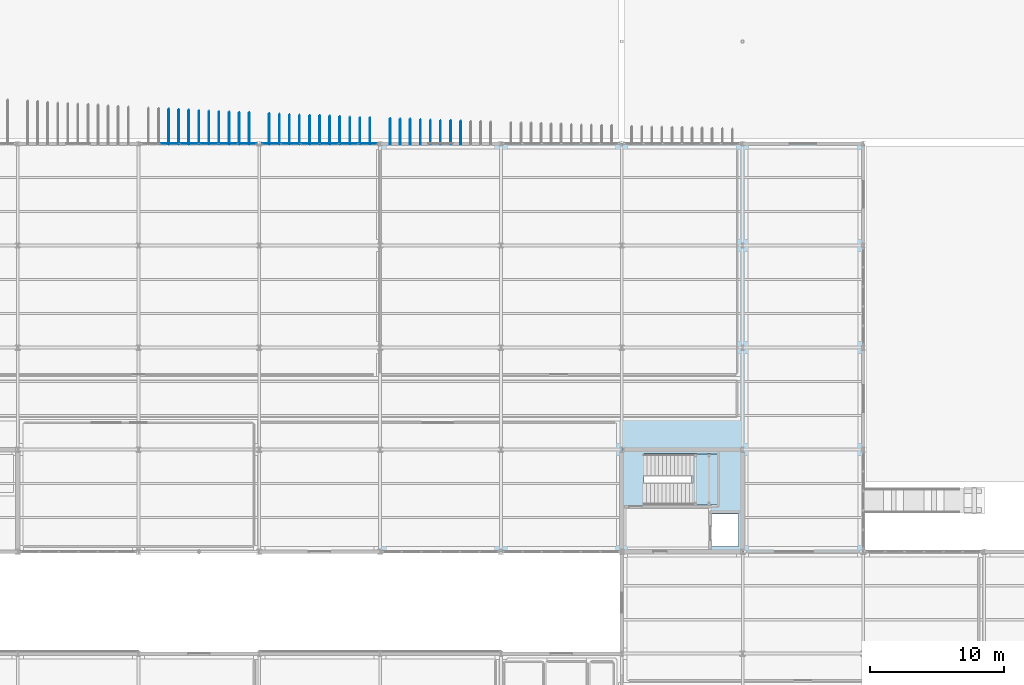
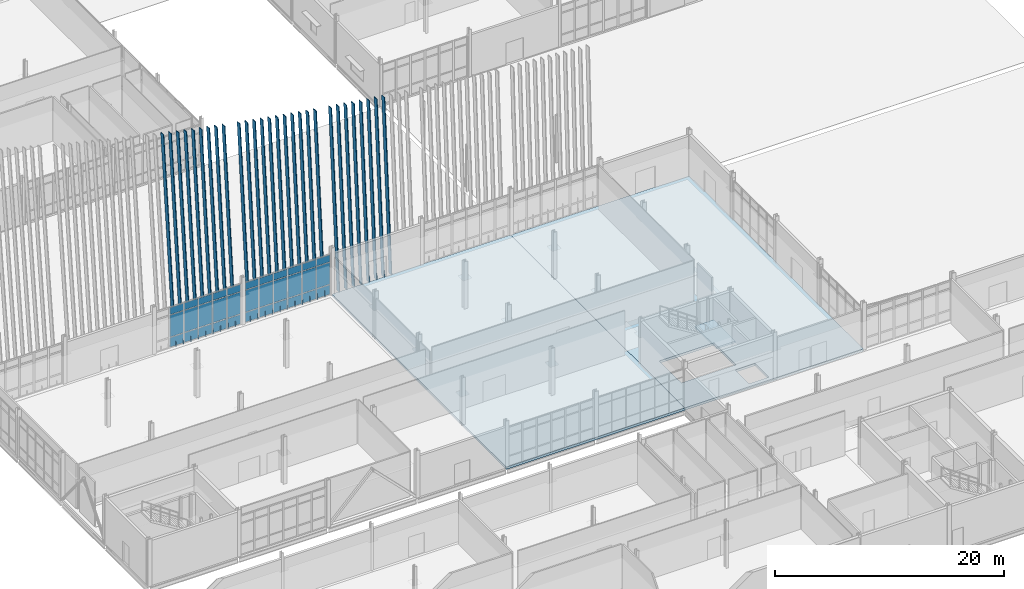
# One storey, part 123 of 161: 61 plates, 3 slabs, 3 elements without a shape of their own.
"""IFC4 building model written with IfcOpenShell, lengths in metres."""

from ifc_helpers import new_model, si_unit, direction, frame, origin, origin_2d, place, context, subcontext, project, spatial, polyline, rectangle, outline, extrude, material, layer, layer_set, type_object, element, aggregate, save


model = new_model("IFC4")

# Units and contexts
model_context = context("Model", 3, precision=1e-05, world=origin(), true_north=direction((0.0, 1.0)))
body_context = subcontext(model_context, "Body", "Model", "MODEL_VIEW")
ifc_project = project(units=[si_unit("LENGTHUNIT", "METRE"), si_unit("AREAUNIT", "SQUARE_METRE"), si_unit("VOLUMEUNIT", "CUBIC_METRE"), si_unit("PLANEANGLEUNIT", "RADIAN"), si_unit("MASSUNIT", "GRAM", prefix="KILO")], contexts=[model_context])

# Site, building, storey
site_placement = place(None, origin())
site = spatial("IfcSite", under=ifc_project, at=site_placement, CompositionType="ELEMENT")
building_placement = place(site_placement, origin())
building = spatial("IfcBuilding", under=site, at=building_placement, Name="Caisbarro Railhouse Central Library", CompositionType="ELEMENT")
storey_placement = place(building_placement, origin())
storey = spatial("IfcBuildingStorey", under=building, at=storey_placement, Name="L00", CompositionType="ELEMENT", Elevation=0.0)

# Curtain wall, plates
ifc_material_1 = material(Name="Anodised architectural aluminium", Category="aluminium")
curtain_wall_type = type_object("IfcCurtainWallType", Name="CW-CW01", PredefinedType="NOTDEFINED", material=ifc_material_1)
curtain_wall_1_placement = place(storey_placement, origin())
curtain_wall_1 = element("IfcCurtainWall", 1, at=curtain_wall_1_placement, inside=storey, type_object=curtain_wall_type, Name="CW01 curtain wall L00 #6", PredefinedType="NOTDEFINED")
ifc_material_2 = material(Name="Double low-e laminated solar-control glass", Category="glass")
ifc_layer_1 = layer(ifc_material_2, 0.0380859375, Name="Double low-e laminated solar-control glass")
ifc_layer_set_1 = layer_set([ifc_layer_1], Name="Double low-e laminated solar-control glass")
plate_type_1 = type_object("IfcPlateType", Name="CWP-CP38", PredefinedType="CURTAIN_PANEL", material=ifc_layer_set_1)
plate_1_placement = place(storey_placement, frame((20.330078125, 60.800048828125, 0.0751953125), z_axis=(0.0, 0.0, 1.0), x_axis=(1.0, 0.0, 0.0)))
plate_1 = element("IfcPlate", 2, at=plate_1_placement, type_object=plate_type_1, Name="CW01 panel 2.1", PredefinedType="CURTAIN_PANEL", context=body_context, shape_type="SweptSolid", body=[
    extrude(rectangle(XDim=1.37158203125, YDim=0.0380859375, at=origin_2d()), origin(), (0.0, 0.0, 1.0), 1.007568359375),
])
plate_2_placement = place(storey_placement, frame((20.330078125, 60.800048828125, 1.15771484375), z_axis=(0.0, 0.0, 1.0), x_axis=(1.0, 0.0, 0.0)))
plate_2 = element("IfcPlate", 3, at=plate_2_placement, type_object=plate_type_1, Name="CW01 panel 2.2", PredefinedType="CURTAIN_PANEL", context=body_context, shape_type="SweptSolid", body=[
    extrude(rectangle(XDim=1.37158203125, YDim=0.0380859375, at=origin_2d()), origin(), (0.0, 0.0, 1.0), 2.304931640625),
])
plate_3_placement = place(storey_placement, frame((20.330078125, 60.800048828125, 3.53759765625), z_axis=(0.0, 0.0, 1.0), x_axis=(1.0, 0.0, 0.0)))
plate_3 = element("IfcPlate", 4, at=plate_3_placement, type_object=plate_type_1, Name="CW01 panel 2.3", PredefinedType="CURTAIN_PANEL", context=body_context, shape_type="SweptSolid", body=[
    extrude(rectangle(XDim=1.37158203125, YDim=0.0380859375, at=origin_2d()), origin(), (0.0, 0.0, 1.0), 0.737548828125),
])
plate_4_placement = place(storey_placement, frame((21.776611328125, 60.800048828125, 0.0751953125), z_axis=(0.0, 0.0, 1.0), x_axis=(1.0, 0.0, 0.0)))
plate_4 = element("IfcPlate", 5, at=plate_4_placement, type_object=plate_type_1, Name="CW01 panel 3.1", PredefinedType="CURTAIN_PANEL", context=body_context, shape_type="SweptSolid", body=[
    extrude(rectangle(XDim=1.37158203125, YDim=0.0380859375, at=origin_2d()), origin(), (0.0, 0.0, 1.0), 1.007568359375),
])
plate_5_placement = place(storey_placement, frame((21.776611328125, 60.800048828125, 1.15771484375), z_axis=(0.0, 0.0, 1.0), x_axis=(1.0, 0.0, 0.0)))
plate_5 = element("IfcPlate", 6, at=plate_5_placement, type_object=plate_type_1, Name="CW01 panel 3.2", PredefinedType="CURTAIN_PANEL", context=body_context, shape_type="SweptSolid", body=[
    extrude(rectangle(XDim=1.37158203125, YDim=0.0380859375, at=origin_2d()), origin(), (0.0, 0.0, 1.0), 2.304931640625),
])
plate_6_placement = place(storey_placement, frame((21.776611328125, 60.800048828125, 3.53759765625), z_axis=(0.0, 0.0, 1.0), x_axis=(1.0, 0.0, 0.0)))
plate_6 = element("IfcPlate", 7, at=plate_6_placement, type_object=plate_type_1, Name="CW01 panel 3.3", PredefinedType="CURTAIN_PANEL", context=body_context, shape_type="SweptSolid", body=[
    extrude(rectangle(XDim=1.37158203125, YDim=0.0380859375, at=origin_2d()), origin(), (0.0, 0.0, 1.0), 0.737548828125),
])
plate_7_placement = place(storey_placement, frame((23.223388671875, 60.800048828125, 0.0751953125), z_axis=(0.0, 0.0, 1.0), x_axis=(1.0, 0.0, 0.0)))
plate_7 = element("IfcPlate", 8, at=plate_7_placement, type_object=plate_type_1, Name="CW01 panel 4.1", PredefinedType="CURTAIN_PANEL", context=body_context, shape_type="SweptSolid", body=[
    extrude(rectangle(XDim=1.37158203125, YDim=0.0380859375, at=origin_2d()), origin(), (0.0, 0.0, 1.0), 1.007568359375),
])
plate_8_placement = place(storey_placement, frame((23.223388671875, 60.800048828125, 1.15771484375), z_axis=(0.0, 0.0, 1.0), x_axis=(1.0, 0.0, 0.0)))
plate_8 = element("IfcPlate", 9, at=plate_8_placement, type_object=plate_type_1, Name="CW01 panel 4.2", PredefinedType="CURTAIN_PANEL", context=body_context, shape_type="SweptSolid", body=[
    extrude(rectangle(XDim=1.37158203125, YDim=0.0380859375, at=origin_2d()), origin(), (0.0, 0.0, 1.0), 2.304931640625),
])
plate_9_placement = place(storey_placement, frame((23.223388671875, 60.800048828125, 3.53759765625), z_axis=(0.0, 0.0, 1.0), x_axis=(1.0, 0.0, 0.0)))
plate_9 = element("IfcPlate", 10, at=plate_9_placement, type_object=plate_type_1, Name="CW01 panel 4.3", PredefinedType="CURTAIN_PANEL", context=body_context, shape_type="SweptSolid", body=[
    extrude(rectangle(XDim=1.37158203125, YDim=0.0380859375, at=origin_2d()), origin(), (0.0, 0.0, 1.0), 0.737548828125),
])
plate_10_placement = place(storey_placement, frame((24.669921875, 60.800048828125, 0.0751953125), z_axis=(0.0, 0.0, 1.0), x_axis=(1.0, 0.0, 0.0)))
plate_10 = element("IfcPlate", 11, at=plate_10_placement, type_object=plate_type_1, Name="CW01 panel 5.1", PredefinedType="CURTAIN_PANEL", context=body_context, shape_type="SweptSolid", body=[
    extrude(rectangle(XDim=1.37158203125, YDim=0.0380859375, at=origin_2d()), origin(), (0.0, 0.0, 1.0), 1.007568359375),
])
plate_11_placement = place(storey_placement, frame((24.669921875, 60.800048828125, 1.15771484375), z_axis=(0.0, 0.0, 1.0), x_axis=(1.0, 0.0, 0.0)))
plate_11 = element("IfcPlate", 12, at=plate_11_placement, type_object=plate_type_1, Name="CW01 panel 5.2", PredefinedType="CURTAIN_PANEL", context=body_context, shape_type="SweptSolid", body=[
    extrude(rectangle(XDim=1.37158203125, YDim=0.0380859375, at=origin_2d()), origin(), (0.0, 0.0, 1.0), 2.304931640625),
])
plate_12_placement = place(storey_placement, frame((24.669921875, 60.800048828125, 3.53759765625), z_axis=(0.0, 0.0, 1.0), x_axis=(1.0, 0.0, 0.0)))
plate_12 = element("IfcPlate", 13, at=plate_12_placement, type_object=plate_type_1, Name="CW01 panel 5.3", PredefinedType="CURTAIN_PANEL", context=body_context, shape_type="SweptSolid", body=[
    extrude(rectangle(XDim=1.37158203125, YDim=0.0380859375, at=origin_2d()), origin(), (0.0, 0.0, 1.0), 0.737548828125),
])
plate_13_placement = place(storey_placement, frame((26.097900390625, 60.800048828125, 0.0751953125), z_axis=(0.0, 0.0, 1.0), x_axis=(1.0, 0.0, 0.0)))
plate_13 = element("IfcPlate", 14, at=plate_13_placement, type_object=plate_type_1, Name="CW01 panel 6.1", PredefinedType="CURTAIN_PANEL", context=body_context, shape_type="SweptSolid", body=[
    extrude(rectangle(XDim=1.334228515625, YDim=0.0380859375, at=origin_2d()), origin(), (0.0, 0.0, 1.0), 1.007568359375),
])
plate_14_placement = place(storey_placement, frame((26.097900390625, 60.800048828125, 1.15771484375), z_axis=(0.0, 0.0, 1.0), x_axis=(1.0, 0.0, 0.0)))
plate_14 = element("IfcPlate", 15, at=plate_14_placement, type_object=plate_type_1, Name="CW01 panel 6.2", PredefinedType="CURTAIN_PANEL", context=body_context, shape_type="SweptSolid", body=[
    extrude(rectangle(XDim=1.334228515625, YDim=0.0380859375, at=origin_2d()), origin(), (0.0, 0.0, 1.0), 2.304931640625),
])
plate_15_placement = place(storey_placement, frame((26.097900390625, 60.800048828125, 3.53759765625), z_axis=(0.0, 0.0, 1.0), x_axis=(1.0, 0.0, 0.0)))
plate_15 = element("IfcPlate", 16, at=plate_15_placement, type_object=plate_type_1, Name="CW01 panel 6.3", PredefinedType="CURTAIN_PANEL", context=body_context, shape_type="SweptSolid", body=[
    extrude(rectangle(XDim=1.334228515625, YDim=0.0380859375, at=origin_2d()), origin(), (0.0, 0.0, 1.0), 0.737548828125),
])
aggregate(curtain_wall_1, [plate_1, plate_2, plate_3, plate_4, plate_5, plate_6, plate_7, plate_8, plate_9, plate_10, plate_11, plate_12, plate_13, plate_14, plate_15])

curtain_wall_2_placement = place(storey_placement, origin())
curtain_wall_2 = element("IfcCurtainWall", 17, at=curtain_wall_2_placement, inside=storey, type_object=curtain_wall_type, Name="CW01 curtain wall L00 #9", PredefinedType="NOTDEFINED")
ifc_layer_2 = layer(ifc_material_2, 0.048095703125, Name="Double low-e laminated solar-control glass")
ifc_layer_set_2 = layer_set([ifc_layer_2], Name="Double low-e laminated solar-control glass")
plate_type_2 = type_object("IfcPlateType", Name="CWP-CP48", PredefinedType="CURTAIN_PANEL", material=ifc_layer_set_2)
plate_16_placement = place(storey_placement, frame((27.902099609375, 60.800048828125, 0.0751953125), z_axis=(0.0, 0.0, 1.0), x_axis=(1.0, 0.0, 0.0)))
plate_16 = element("IfcPlate", 18, at=plate_16_placement, type_object=plate_type_2, Name="CW01 panel 1.1", PredefinedType="CURTAIN_PANEL", context=body_context, shape_type="SweptSolid", body=[
    extrude(rectangle(XDim=1.334228515625, YDim=0.048095703125, at=origin_2d()), origin(), (0.0, 0.0, 1.0), 1.007568359375),
])
plate_17_placement = place(storey_placement, frame((27.902099609375, 60.800048828125, 1.15771484375), z_axis=(0.0, 0.0, 1.0), x_axis=(1.0, 0.0, 0.0)))
plate_17 = element("IfcPlate", 19, at=plate_17_placement, type_object=plate_type_2, Name="CW01 panel 1.2", PredefinedType="CURTAIN_PANEL", context=body_context, shape_type="SweptSolid", body=[
    extrude(rectangle(XDim=1.334228515625, YDim=0.048095703125, at=origin_2d()), origin(), (0.0, 0.0, 1.0), 2.304931640625),
])
plate_18_placement = place(storey_placement, frame((27.902099609375, 60.800048828125, 3.53759765625), z_axis=(0.0, 0.0, 1.0), x_axis=(1.0, 0.0, 0.0)))
plate_18 = element("IfcPlate", 20, at=plate_18_placement, type_object=plate_type_2, Name="CW01 panel 1.3", PredefinedType="CURTAIN_PANEL", context=body_context, shape_type="SweptSolid", body=[
    extrude(rectangle(XDim=1.334228515625, YDim=0.048095703125, at=origin_2d()), origin(), (0.0, 0.0, 1.0), 0.737548828125),
])
plate_19_placement = place(storey_placement, frame((29.330078125, 60.800048828125, 0.0751953125), z_axis=(0.0, 0.0, 1.0), x_axis=(1.0, 0.0, 0.0)))
plate_19 = element("IfcPlate", 21, at=plate_19_placement, type_object=plate_type_2, Name="CW01 panel 2.1", PredefinedType="CURTAIN_PANEL", context=body_context, shape_type="SweptSolid", body=[
    extrude(rectangle(XDim=1.37158203125, YDim=0.048095703125, at=origin_2d()), origin(), (0.0, 0.0, 1.0), 1.007568359375),
])
plate_20_placement = place(storey_placement, frame((29.330078125, 60.800048828125, 1.15771484375), z_axis=(0.0, 0.0, 1.0), x_axis=(1.0, 0.0, 0.0)))
plate_20 = element("IfcPlate", 22, at=plate_20_placement, type_object=plate_type_2, Name="CW01 panel 2.2", PredefinedType="CURTAIN_PANEL", context=body_context, shape_type="SweptSolid", body=[
    extrude(rectangle(XDim=1.37158203125, YDim=0.048095703125, at=origin_2d()), origin(), (0.0, 0.0, 1.0), 2.304931640625),
])
plate_21_placement = place(storey_placement, frame((29.330078125, 60.800048828125, 3.53759765625), z_axis=(0.0, 0.0, 1.0), x_axis=(1.0, 0.0, 0.0)))
plate_21 = element("IfcPlate", 23, at=plate_21_placement, type_object=plate_type_2, Name="CW01 panel 2.3", PredefinedType="CURTAIN_PANEL", context=body_context, shape_type="SweptSolid", body=[
    extrude(rectangle(XDim=1.37158203125, YDim=0.048095703125, at=origin_2d()), origin(), (0.0, 0.0, 1.0), 0.737548828125),
])
plate_22_placement = place(storey_placement, frame((30.776611328125, 60.800048828125, 0.0751953125), z_axis=(0.0, 0.0, 1.0), x_axis=(1.0, 0.0, 0.0)))
plate_22 = element("IfcPlate", 24, at=plate_22_placement, type_object=plate_type_2, Name="CW01 panel 3.1", PredefinedType="CURTAIN_PANEL", context=body_context, shape_type="SweptSolid", body=[
    extrude(rectangle(XDim=1.37158203125, YDim=0.048095703125, at=origin_2d()), origin(), (0.0, 0.0, 1.0), 1.007568359375),
])
plate_23_placement = place(storey_placement, frame((30.776611328125, 60.800048828125, 1.15771484375), z_axis=(0.0, 0.0, 1.0), x_axis=(1.0, 0.0, 0.0)))
plate_23 = element("IfcPlate", 25, at=plate_23_placement, type_object=plate_type_2, Name="CW01 panel 3.2", PredefinedType="CURTAIN_PANEL", context=body_context, shape_type="SweptSolid", body=[
    extrude(rectangle(XDim=1.37158203125, YDim=0.048095703125, at=origin_2d()), origin(), (0.0, 0.0, 1.0), 2.304931640625),
])
plate_24_placement = place(storey_placement, frame((30.776611328125, 60.800048828125, 3.53759765625), z_axis=(0.0, 0.0, 1.0), x_axis=(1.0, 0.0, 0.0)))
plate_24 = element("IfcPlate", 26, at=plate_24_placement, type_object=plate_type_2, Name="CW01 panel 3.3", PredefinedType="CURTAIN_PANEL", context=body_context, shape_type="SweptSolid", body=[
    extrude(rectangle(XDim=1.37158203125, YDim=0.048095703125, at=origin_2d()), origin(), (0.0, 0.0, 1.0), 0.737548828125),
])
plate_25_placement = place(storey_placement, frame((32.223388671875, 60.800048828125, 0.0751953125), z_axis=(0.0, 0.0, 1.0), x_axis=(1.0, 0.0, 0.0)))
plate_25 = element("IfcPlate", 27, at=plate_25_placement, type_object=plate_type_2, Name="CW01 panel 4.1", PredefinedType="CURTAIN_PANEL", context=body_context, shape_type="SweptSolid", body=[
    extrude(rectangle(XDim=1.37158203125, YDim=0.048095703125, at=origin_2d()), origin(), (0.0, 0.0, 1.0), 1.007568359375),
])
plate_26_placement = place(storey_placement, frame((32.223388671875, 60.800048828125, 1.15771484375), z_axis=(0.0, 0.0, 1.0), x_axis=(1.0, 0.0, 0.0)))
plate_26 = element("IfcPlate", 28, at=plate_26_placement, type_object=plate_type_2, Name="CW01 panel 4.2", PredefinedType="CURTAIN_PANEL", context=body_context, shape_type="SweptSolid", body=[
    extrude(rectangle(XDim=1.37158203125, YDim=0.048095703125, at=origin_2d()), origin(), (0.0, 0.0, 1.0), 2.304931640625),
])
plate_27_placement = place(storey_placement, frame((32.223388671875, 60.800048828125, 3.53759765625), z_axis=(0.0, 0.0, 1.0), x_axis=(1.0, 0.0, 0.0)))
plate_27 = element("IfcPlate", 29, at=plate_27_placement, type_object=plate_type_2, Name="CW01 panel 4.3", PredefinedType="CURTAIN_PANEL", context=body_context, shape_type="SweptSolid", body=[
    extrude(rectangle(XDim=1.37158203125, YDim=0.048095703125, at=origin_2d()), origin(), (0.0, 0.0, 1.0), 0.737548828125),
])
plate_28_placement = place(storey_placement, frame((33.669921875, 60.800048828125, 0.0751953125), z_axis=(0.0, 0.0, 1.0), x_axis=(1.0, 0.0, 0.0)))
plate_28 = element("IfcPlate", 30, at=plate_28_placement, type_object=plate_type_2, Name="CW01 panel 5.1", PredefinedType="CURTAIN_PANEL", context=body_context, shape_type="SweptSolid", body=[
    extrude(rectangle(XDim=1.37158203125, YDim=0.048095703125, at=origin_2d()), origin(), (0.0, 0.0, 1.0), 1.007568359375),
])
plate_29_placement = place(storey_placement, frame((33.669921875, 60.800048828125, 1.15771484375), z_axis=(0.0, 0.0, 1.0), x_axis=(1.0, 0.0, 0.0)))
plate_29 = element("IfcPlate", 31, at=plate_29_placement, type_object=plate_type_2, Name="CW01 panel 5.2", PredefinedType="CURTAIN_PANEL", context=body_context, shape_type="SweptSolid", body=[
    extrude(rectangle(XDim=1.37158203125, YDim=0.048095703125, at=origin_2d()), origin(), (0.0, 0.0, 1.0), 2.304931640625),
])
plate_30_placement = place(storey_placement, frame((33.669921875, 60.800048828125, 3.53759765625), z_axis=(0.0, 0.0, 1.0), x_axis=(1.0, 0.0, 0.0)))
plate_30 = element("IfcPlate", 32, at=plate_30_placement, type_object=plate_type_2, Name="CW01 panel 5.3", PredefinedType="CURTAIN_PANEL", context=body_context, shape_type="SweptSolid", body=[
    extrude(rectangle(XDim=1.37158203125, YDim=0.048095703125, at=origin_2d()), origin(), (0.0, 0.0, 1.0), 0.737548828125),
])
plate_31_placement = place(storey_placement, frame((35.097900390625, 60.800048828125, 0.0751953125), z_axis=(0.0, 0.0, 1.0), x_axis=(1.0, 0.0, 0.0)))
plate_31 = element("IfcPlate", 33, at=plate_31_placement, type_object=plate_type_2, Name="CW01 panel 6.1", PredefinedType="CURTAIN_PANEL", context=body_context, shape_type="SweptSolid", body=[
    extrude(rectangle(XDim=1.334228515625, YDim=0.048095703125, at=origin_2d()), origin(), (0.0, 0.0, 1.0), 1.007568359375),
])
plate_32_placement = place(storey_placement, frame((35.097900390625, 60.800048828125, 1.15771484375), z_axis=(0.0, 0.0, 1.0), x_axis=(1.0, 0.0, 0.0)))
plate_32 = element("IfcPlate", 34, at=plate_32_placement, type_object=plate_type_2, Name="CW01 panel 6.2", PredefinedType="CURTAIN_PANEL", context=body_context, shape_type="SweptSolid", body=[
    extrude(rectangle(XDim=1.334228515625, YDim=0.048095703125, at=origin_2d()), origin(), (0.0, 0.0, 1.0), 2.304931640625),
])
plate_33_placement = place(storey_placement, frame((35.097900390625, 60.800048828125, 3.53759765625), z_axis=(0.0, 0.0, 1.0), x_axis=(1.0, 0.0, 0.0)))
plate_33 = element("IfcPlate", 35, at=plate_33_placement, type_object=plate_type_2, Name="CW01 panel 6.3", PredefinedType="CURTAIN_PANEL", context=body_context, shape_type="SweptSolid", body=[
    extrude(rectangle(XDim=1.334228515625, YDim=0.048095703125, at=origin_2d()), origin(), (0.0, 0.0, 1.0), 0.737548828125),
])
aggregate(curtain_wall_2, [plate_16, plate_17, plate_18, plate_19, plate_20, plate_21, plate_22, plate_23, plate_24, plate_25, plate_26, plate_27, plate_28, plate_29, plate_30, plate_31, plate_32, plate_33])

# Plates
ifc_material_3 = material(Name="White powder-coated aluminium", Category="aluminium")
ifc_layer_3 = layer(ifc_material_3, 0.06005859375, Name="White powder-coated aluminium")
ifc_layer_set_3 = layer_set([ifc_layer_3], Name="White powder-coated aluminium")
plate_type_3 = type_object("IfcPlateType", Name="PLT-FIN01", PredefinedType="USERDEFINED", material=ifc_layer_set_3)
plate_34_placement = place(storey_placement, frame((20.25, 60.97998046875, -0.080078125), z_axis=(0.0, 0.101056297183, 0.994880708829), x_axis=(1.0, 0.0, 0.0)))
element("IfcPlate", 36, at=plate_34_placement, inside=storey, type_object=plate_type_3, Name="FN01 Outward-Leaning White Fin 25", ObjectType="SOLAR FIN", PredefinedType="USERDEFINED", context=body_context, shape_type="SweptSolid", body=[
    extrude(rectangle(XDim=0.06005859375, YDim=0.52001953125, at=origin_2d()), origin(), (0.0, 0.0, 1.0), 21.397216796875),
])
plate_35_placement = place(storey_placement, frame((21.0, 60.97998046875, -0.079833984375), z_axis=(0.0, 0.099840745983, 0.995003429864), x_axis=(1.0, 0.0, 0.0)))
element("IfcPlate", 37, at=plate_35_placement, inside=storey, type_object=plate_type_3, Name="FN01 Outward-Leaning White Fin 26", ObjectType="SOLAR FIN", PredefinedType="USERDEFINED", context=body_context, shape_type="SweptSolid", body=[
    extrude(rectangle(XDim=0.06005859375, YDim=0.52001953125, at=origin_2d()), origin(), (0.0, 0.0, 1.0), 21.25830078125),
])
plate_36_placement = place(storey_placement, frame((21.75, 60.97998046875, -0.080078125), z_axis=(0.0, 0.098798726275, 0.995107437258), x_axis=(1.0, 0.0, 0.0)))
element("IfcPlate", 38, at=plate_36_placement, inside=storey, type_object=plate_type_3, Name="FN01 Outward-Leaning White Fin 27", ObjectType="SOLAR FIN", PredefinedType="USERDEFINED", context=body_context, shape_type="SweptSolid", body=[
    extrude(rectangle(XDim=0.06005859375, YDim=0.52001953125, at=origin_2d()), origin(), (0.0, 0.0, 1.0), 21.118896484375),
])
plate_37_placement = place(storey_placement, frame((22.5, 60.97998046875, -0.079833984375), z_axis=(0.0, 0.097756598221, 0.995210353395), x_axis=(1.0, 0.0, 0.0)))
element("IfcPlate", 39, at=plate_37_placement, inside=storey, type_object=plate_type_3, Name="FN01 Outward-Leaning White Fin 28", ObjectType="SOLAR FIN", PredefinedType="USERDEFINED", context=body_context, shape_type="SweptSolid", body=[
    extrude(rectangle(XDim=0.06005859375, YDim=0.52001953125, at=origin_2d()), origin(), (0.0, 0.0, 1.0), 20.9794921875),
])
plate_38_placement = place(storey_placement, frame((23.25, 60.97998046875, -0.080078125), z_axis=(0.0, 0.096540646748, 0.995329042842), x_axis=(1.0, 0.0, 0.0)))
element("IfcPlate", 40, at=plate_38_placement, inside=storey, type_object=plate_type_3, Name="FN01 Outward-Leaning White Fin 29", ObjectType="SOLAR FIN", PredefinedType="USERDEFINED", context=body_context, shape_type="SweptSolid", body=[
    extrude(rectangle(XDim=0.06005859375, YDim=0.52001953125, at=origin_2d()), origin(), (0.0, 0.0, 1.0), 20.85302734375),
])
plate_39_placement = place(storey_placement, frame((24.0, 60.97998046875, -0.080078125), z_axis=(0.0, 0.095498287868, 0.995429594203), x_axis=(1.0, 0.0, 0.0)))
element("IfcPlate", 41, at=plate_39_placement, inside=storey, type_object=plate_type_3, Name="FN01 Outward-Leaning White Fin 30", ObjectType="SOLAR FIN", PredefinedType="USERDEFINED", context=body_context, shape_type="SweptSolid", body=[
    extrude(rectangle(XDim=0.06005859375, YDim=0.52001953125, at=origin_2d()), origin(), (0.0, 0.0, 1.0), 20.72607421875),
])
plate_40_placement = place(storey_placement, frame((24.75, 60.97998046875, -0.080078125), z_axis=(0.0, 0.094455824262, 0.995529053952), x_axis=(1.0, 0.0, 0.0)))
element("IfcPlate", 42, at=plate_40_placement, inside=storey, type_object=plate_type_3, Name="FN01 Outward-Leaning White Fin 31", ObjectType="SOLAR FIN", PredefinedType="USERDEFINED", context=body_context, shape_type="SweptSolid", body=[
    extrude(rectangle(XDim=0.06005859375, YDim=0.52001953125, at=origin_2d()), origin(), (0.0, 0.0, 1.0), 20.598876953125),
])
plate_41_placement = place(storey_placement, frame((25.5, 60.97998046875, -0.080078125), z_axis=(0.0, 0.093239485886, 0.995643710507), x_axis=(1.0, 0.0, 0.0)))
element("IfcPlate", 43, at=plate_41_placement, inside=storey, type_object=plate_type_3, Name="FN01 Outward-Leaning White Fin 32", ObjectType="SOLAR FIN", PredefinedType="USERDEFINED", context=body_context, shape_type="SweptSolid", body=[
    extrude(rectangle(XDim=0.06005859375, YDim=0.52001953125, at=origin_2d()), origin(), (0.0, 0.0, 1.0), 20.472412109375),
])
plate_42_placement = place(storey_placement, frame((26.25, 60.97998046875, -0.080078125), z_axis=(0.0, 0.092196799296, 0.995740804728), x_axis=(1.0, 0.0, 0.0)))
element("IfcPlate", 44, at=plate_42_placement, inside=storey, type_object=plate_type_3, Name="FN01 Outward-Leaning White Fin 33", ObjectType="SOLAR FIN", PredefinedType="USERDEFINED", context=body_context, shape_type="SweptSolid", body=[
    extrude(rectangle(XDim=0.06005859375, YDim=0.52001953125, at=origin_2d()), origin(), (0.0, 0.0, 1.0), 20.34521484375),
])
plate_43_placement = place(storey_placement, frame((27.75, 60.97998046875, -0.080078125), z_axis=(0.0, 0.090111123946, 0.995931717208), x_axis=(1.0, 0.0, 0.0)))
element("IfcPlate", 45, at=plate_43_placement, inside=storey, type_object=plate_type_3, Name="FN01 Outward-Leaning White Fin 34", ObjectType="SOLAR FIN", PredefinedType="USERDEFINED", context=body_context, shape_type="SweptSolid", body=[
    extrude(rectangle(XDim=0.06005859375, YDim=0.52001953125, at=origin_2d()), origin(), (0.0, 0.0, 1.0), 20.103515625),
])
plate_44_placement = place(storey_placement, frame((28.5, 60.97998046875, -0.079833984375), z_axis=(0.0, 0.088894296866, 0.996041065411), x_axis=(1.0, 0.0, 0.0)))
element("IfcPlate", 46, at=plate_44_placement, inside=storey, type_object=plate_type_3, Name="FN01 Outward-Leaning White Fin 35", ObjectType="SOLAR FIN", PredefinedType="USERDEFINED", context=body_context, shape_type="SweptSolid", body=[
    extrude(rectangle(XDim=0.06005859375, YDim=0.52001953125, at=origin_2d()), origin(), (0.0, 0.0, 1.0), 19.989013671875),
])
plate_45_placement = place(storey_placement, frame((29.25, 60.97998046875, -0.080078125), z_axis=(0.0, 0.087851196551, 0.996133609143), x_axis=(1.0, 0.0, 0.0)))
element("IfcPlate", 47, at=plate_45_placement, inside=storey, type_object=plate_type_3, Name="FN01 Outward-Leaning White Fin 36", ObjectType="SOLAR FIN", PredefinedType="USERDEFINED", context=body_context, shape_type="SweptSolid", body=[
    extrude(rectangle(XDim=0.06005859375, YDim=0.52001953125, at=origin_2d()), origin(), (0.0, 0.0, 1.0), 19.87451171875),
])
plate_46_placement = place(storey_placement, frame((30.0, 60.97998046875, -0.079833984375), z_axis=(0.0, 0.086807999895, 0.996225060493), x_axis=(1.0, 0.0, 0.0)))
element("IfcPlate", 48, at=plate_46_placement, inside=storey, type_object=plate_type_3, Name="FN01 Outward-Leaning White Fin 37", ObjectType="SOLAR FIN", PredefinedType="USERDEFINED", context=body_context, shape_type="SweptSolid", body=[
    extrude(rectangle(XDim=0.06005859375, YDim=0.52001953125, at=origin_2d()), origin(), (0.0, 0.0, 1.0), 19.759765625),
])
plate_47_placement = place(storey_placement, frame((30.75, 60.97998046875, -0.080078125), z_axis=(0.0, 0.085590816895, 0.99633037295), x_axis=(1.0, 0.0, 0.0)))
element("IfcPlate", 49, at=plate_47_placement, inside=storey, type_object=plate_type_3, Name="FN01 Outward-Leaning White Fin 38", ObjectType="SOLAR FIN", PredefinedType="USERDEFINED", context=body_context, shape_type="SweptSolid", body=[
    extrude(rectangle(XDim=0.06005859375, YDim=0.52001953125, at=origin_2d()), origin(), (0.0, 0.0, 1.0), 19.645263671875),
])
plate_48_placement = place(storey_placement, frame((31.5, 60.97998046875, -0.079833984375), z_axis=(0.0, 0.084547415428, 0.996419457129), x_axis=(1.0, 0.0, 0.0)))
element("IfcPlate", 50, at=plate_48_placement, inside=storey, type_object=plate_type_3, Name="FN01 Outward-Leaning White Fin 39", ObjectType="SOLAR FIN", PredefinedType="USERDEFINED", context=body_context, shape_type="SweptSolid", body=[
    extrude(rectangle(XDim=0.06005859375, YDim=0.52001953125, at=origin_2d()), origin(), (0.0, 0.0, 1.0), 19.530517578125),
])
plate_49_placement = place(storey_placement, frame((32.25, 60.97998046875, -0.080078125), z_axis=(0.0, 0.083503921245, 0.996507448611), x_axis=(1.0, 0.0, 0.0)))
element("IfcPlate", 51, at=plate_49_placement, inside=storey, type_object=plate_type_3, Name="FN01 Outward-Leaning White Fin 40", ObjectType="SOLAR FIN", PredefinedType="USERDEFINED", context=body_context, shape_type="SweptSolid", body=[
    extrude(rectangle(XDim=0.06005859375, YDim=0.52001953125, at=origin_2d()), origin(), (0.0, 0.0, 1.0), 19.427978515625),
])
plate_50_placement = place(storey_placement, frame((33.0, 60.97998046875, -0.080078125), z_axis=(0.0, 0.082286395708, 0.996608724165), x_axis=(1.0, 0.0, 0.0)))
element("IfcPlate", 52, at=plate_50_placement, inside=storey, type_object=plate_type_3, Name="FN01 Outward-Leaning White Fin 41", ObjectType="SOLAR FIN", PredefinedType="USERDEFINED", context=body_context, shape_type="SweptSolid", body=[
    extrude(rectangle(XDim=0.06005859375, YDim=0.52001953125, at=origin_2d()), origin(), (0.0, 0.0, 1.0), 19.326171875),
])
plate_51_placement = place(storey_placement, frame((33.75, 60.97998046875, -0.080078125), z_axis=(0.0, 0.081242704565, 0.996694347809), x_axis=(1.0, 0.0, 0.0)))
element("IfcPlate", 53, at=plate_51_placement, inside=storey, type_object=plate_type_3, Name="FN01 Outward-Leaning White Fin 42", ObjectType="SOLAR FIN", PredefinedType="USERDEFINED", context=body_context, shape_type="SweptSolid", body=[
    extrude(rectangle(XDim=0.06005859375, YDim=0.52001953125, at=origin_2d()), origin(), (0.0, 0.0, 1.0), 19.2236328125),
])
plate_52_placement = place(storey_placement, frame((34.5, 60.97998046875, -0.079833984375), z_axis=(0.0, 0.080198924329, 0.996778878456), x_axis=(1.0, 0.0, 0.0)))
element("IfcPlate", 54, at=plate_52_placement, inside=storey, type_object=plate_type_3, Name="FN01 Outward-Leaning White Fin 43", ObjectType="SOLAR FIN", PredefinedType="USERDEFINED", context=body_context, shape_type="SweptSolid", body=[
    extrude(rectangle(XDim=0.06005859375, YDim=0.52001953125, at=origin_2d()), origin(), (0.0, 0.0, 1.0), 19.121337890625),
])
plate_53_placement = place(storey_placement, frame((35.25, 60.97998046875, -0.080078125), z_axis=(0.0, 0.078981069644, 0.996876115993), x_axis=(1.0, 0.0, 0.0)))
element("IfcPlate", 55, at=plate_53_placement, inside=storey, type_object=plate_type_3, Name="FN01 Outward-Leaning White Fin 44", ObjectType="SOLAR FIN", PredefinedType="USERDEFINED", context=body_context, shape_type="SweptSolid", body=[
    extrude(rectangle(XDim=0.06005859375, YDim=0.52001953125, at=origin_2d()), origin(), (0.0, 0.0, 1.0), 19.019287109375),
])
plate_54_placement = place(storey_placement, frame((36.75, 60.97998046875, -0.080078125), z_axis=(0.0, 0.076893045491, 0.997039347045), x_axis=(1.0, 0.0, 0.0)))
element("IfcPlate", 56, at=plate_54_placement, inside=storey, type_object=plate_type_3, Name="FN01 Outward-Leaning White Fin 45", ObjectType="SOLAR FIN", PredefinedType="USERDEFINED", context=body_context, shape_type="SweptSolid", body=[
    extrude(rectangle(XDim=0.06005859375, YDim=0.52001953125, at=origin_2d()), origin(), (0.0, 0.0, 1.0), 18.82666015625),
])
plate_55_placement = place(storey_placement, frame((37.5, 60.97998046875, -0.080078125), z_axis=(0.0, 0.075848906358, 0.997119322551), x_axis=(1.0, 0.0, 0.0)))
element("IfcPlate", 57, at=plate_55_placement, inside=storey, type_object=plate_type_3, Name="FN01 Outward-Leaning White Fin 46", ObjectType="SOLAR FIN", PredefinedType="USERDEFINED", context=body_context, shape_type="SweptSolid", body=[
    extrude(rectangle(XDim=0.06005859375, YDim=0.52001953125, at=origin_2d()), origin(), (0.0, 0.0, 1.0), 18.736572265625),
])
plate_56_placement = place(storey_placement, frame((38.25, 60.97998046875, -0.080322265625), z_axis=(0.0, 0.074630638989, 0.997211245286), x_axis=(1.0, 0.0, 0.0)))
element("IfcPlate", 58, at=plate_56_placement, inside=storey, type_object=plate_type_3, Name="FN01 Outward-Leaning White Fin 47", ObjectType="SOLAR FIN", PredefinedType="USERDEFINED", context=body_context, shape_type="SweptSolid", body=[
    extrude(rectangle(XDim=0.06005859375, YDim=0.52001953125, at=origin_2d()), origin(), (0.0, 0.0, 1.0), 18.64697265625),
])
plate_57_placement = place(storey_placement, frame((39.0, 60.97998046875, -0.080078125), z_axis=(0.0, 0.073586321085, 0.997288851512), x_axis=(1.0, 0.0, 0.0)))
element("IfcPlate", 59, at=plate_57_placement, inside=storey, type_object=plate_type_3, Name="FN01 Outward-Leaning White Fin 48", ObjectType="SOLAR FIN", PredefinedType="USERDEFINED", context=body_context, shape_type="SweptSolid", body=[
    extrude(rectangle(XDim=0.06005859375, YDim=0.52001953125, at=origin_2d()), origin(), (0.0, 0.0, 1.0), 18.556640625),
])
plate_58_placement = place(storey_placement, frame((39.75, 60.97998046875, -0.080078125), z_axis=(0.0, 0.072541922484, 0.997365364088), x_axis=(1.0, 0.0, 0.0)))
element("IfcPlate", 60, at=plate_58_placement, inside=storey, type_object=plate_type_3, Name="FN01 Outward-Leaning White Fin 49", ObjectType="SOLAR FIN", PredefinedType="USERDEFINED", context=body_context, shape_type="SweptSolid", body=[
    extrude(rectangle(XDim=0.06005859375, YDim=0.52001953125, at=origin_2d()), origin(), (0.0, 0.0, 1.0), 18.466552734375),
])
plate_59_placement = place(storey_placement, frame((40.5, 60.97998046875, -0.080078125), z_axis=(0.0, 0.071323356987, 0.997453246397), x_axis=(1.0, 0.0, 0.0)))
element("IfcPlate", 61, at=plate_59_placement, inside=storey, type_object=plate_type_3, Name="FN01 Outward-Leaning White Fin 50", ObjectType="SOLAR FIN", PredefinedType="USERDEFINED", context=body_context, shape_type="SweptSolid", body=[
    extrude(rectangle(XDim=0.06005859375, YDim=0.52001953125, at=origin_2d()), origin(), (0.0, 0.0, 1.0), 18.376953125),
])
plate_60_placement = place(storey_placement, frame((41.25, 60.97998046875, -0.080078125), z_axis=(0.0, 0.070278787473, 0.997527389113), x_axis=(1.0, 0.0, 0.0)))
element("IfcPlate", 62, at=plate_60_placement, inside=storey, type_object=plate_type_3, Name="FN01 Outward-Leaning White Fin 51", ObjectType="SOLAR FIN", PredefinedType="USERDEFINED", context=body_context, shape_type="SweptSolid", body=[
    extrude(rectangle(XDim=0.06005859375, YDim=0.52001953125, at=origin_2d()), origin(), (0.0, 0.0, 1.0), 18.299072265625),
])
plate_61_placement = place(storey_placement, frame((42.0, 60.97998046875, -0.080078125), z_axis=(0.0, 0.069234140891, 0.997600437918), x_axis=(1.0, 0.0, 0.0)))
element("IfcPlate", 63, at=plate_61_placement, inside=storey, type_object=plate_type_3, Name="FN01 Outward-Leaning White Fin 52", ObjectType="SOLAR FIN", PredefinedType="USERDEFINED", context=body_context, shape_type="SweptSolid", body=[
    extrude(rectangle(XDim=0.06005859375, YDim=0.52001953125, at=origin_2d()), origin(), (0.0, 0.0, 1.0), 18.221435546875),
])

# Slabs
ifc_material_4 = material(Name="Concrete C35", Category="concrete")
ifc_layer_4 = layer(ifc_material_4, 0.25, Name="Concrete C35")
ifc_layer_set_4 = layer_set([ifc_layer_4], Name="Concrete C35")
slab_type_1 = type_object("IfcSlabType", Name="SLB-BS25", PredefinedType="BASESLAB", material=ifc_layer_set_4)
slab_1_placement = place(storey_placement, frame((0.0, 0.0, -0.25)))
element("IfcSlab", 64, at=slab_1_placement, inside=storey, type_object=slab_type_1, Name="SB25 structural slab L00 V1.3", PredefinedType="BASESLAB", context=body_context, shape_type="SweptSolid", body=[
    extrude(outline(polyline([(36.0, 30.39990234375), (54.0, 30.39990234375), (54.0, 60.800048828125), (36.0, 60.800048828125), (36.0, 30.39990234375)])), origin(), (0.0, 0.0, 1.0), 0.25),
])
slab_2_placement = place(storey_placement, frame((0.0, 0.0, -0.25)))
element("IfcSlab", 65, at=slab_2_placement, inside=storey, type_object=slab_type_1, Name="SB25 structural slab L00 V1.4", PredefinedType="BASESLAB", context=body_context, shape_type="SweptSolid", body=[
    extrude(outline(polyline([(54.0, 30.39990234375), (72.0, 30.39990234375), (72.0, 60.800048828125), (54.0, 60.800048828125), (54.0, 30.39990234375)]), holes=[polyline([(55.64990234375, 33.85009765625), (61.14990234375, 33.85009765625), (61.14990234375, 37.699951171875), (55.64990234375, 37.699951171875), (55.64990234375, 33.85009765625)]), polyline([(60.699951171875, 30.800048828125), (62.699951171875, 30.800048828125), (62.699951171875, 33.199951171875), (60.699951171875, 33.199951171875), (60.699951171875, 30.800048828125)])]), origin(), (0.0, 0.0, 1.0), 0.25),
])

# Stair, slab
stair_type = type_object("IfcStairType", Name="STR-ST50", PredefinedType="HALF_TURN_STAIR", material=ifc_material_4)
stair_placement = place(storey_placement, origin())
stair = element("IfcStair", 66, at=stair_placement, inside=storey, type_object=stair_type, Name="Protected Stair ST-04 (L00)", PredefinedType="HALF_TURN_STAIR")
ifc_layer_5 = layer(ifc_material_4, 0.18994140625, Name="Concrete C35")
ifc_layer_set_5 = layer_set([ifc_layer_5], Name="Concrete C35")
slab_type_2 = type_object("IfcSlabType", Name="SLB-LND19", PredefinedType="LANDING", material=ifc_layer_set_5)
slab_3_placement = place(storey_placement, frame((0.0, 0.0, 2.330078125)))
slab_3 = element("IfcSlab", 67, at=slab_3_placement, type_object=slab_type_2, Name="ST-04 landing 1", PredefinedType="LANDING", context=body_context, shape_type="SweptSolid", body=[
    extrude(outline(polyline([(59.199951171875, 33.889892578125), (61.1201171875, 33.889892578125), (61.1201171875, 37.659912109375), (59.199951171875, 37.659912109375), (59.199951171875, 33.889892578125)])), origin(), (0.0, 0.0, 1.0), 0.18994140625),
])
aggregate(stair, [slab_3])

save(model, "model.ifc")
